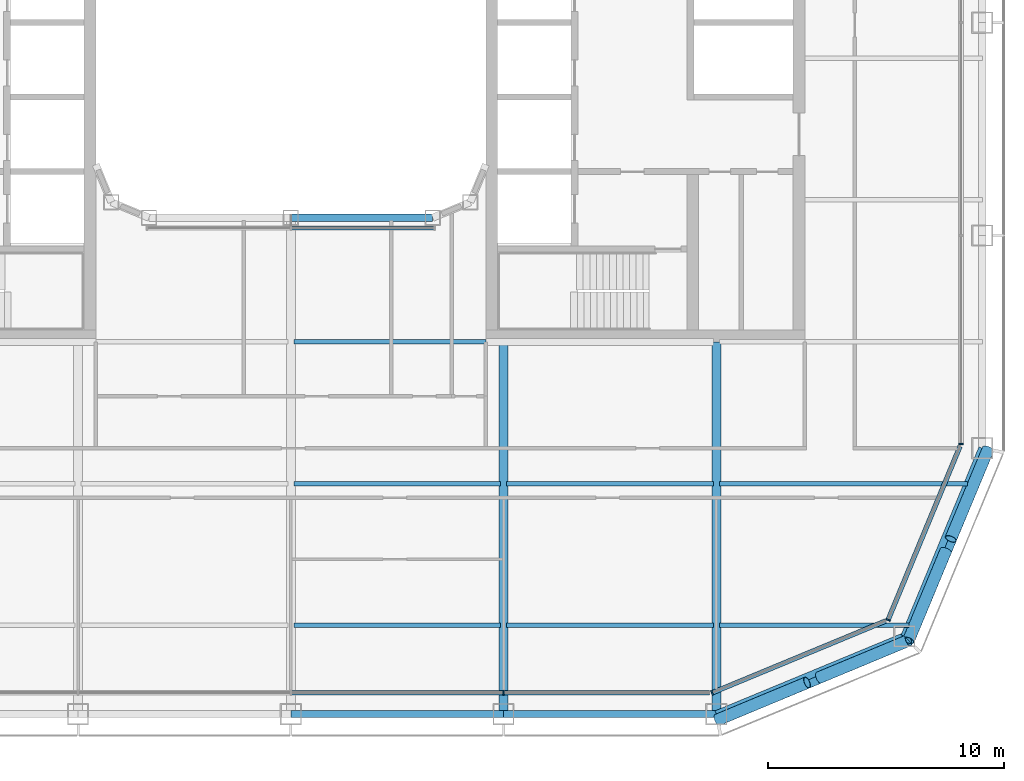
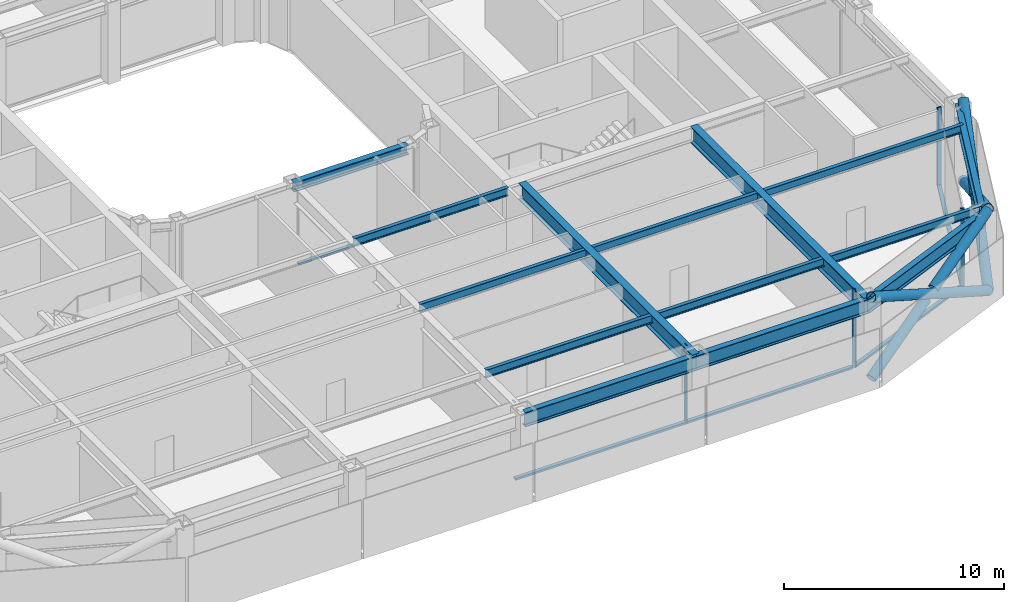
# One storey, part 4 of 21: 15 members, 14 beams, 5 elements without a shape of their own.
"""IFC4 building model written with IfcOpenShell, lengths in metres."""

from ifc_helpers import new_model, si_unit, direction, frame, origin, origin_2d, place, context, subcontext, project, spatial, rectangle, hollow_circle, i_section, extrude, material, layer, layer_set, material_profile, profile_set, type_object, element, aggregate, save


model = new_model("IFC4")

# Units and contexts
model_context = context("Model", 3, precision=1e-05, world=origin(), true_north=direction((0.0, 1.0)))
body_context = subcontext(model_context, "Body", "Model", "MODEL_VIEW")
ifc_project = project(units=[si_unit("LENGTHUNIT", "METRE"), si_unit("AREAUNIT", "SQUARE_METRE"), si_unit("VOLUMEUNIT", "CUBIC_METRE"), si_unit("PLANEANGLEUNIT", "RADIAN"), si_unit("MASSUNIT", "GRAM", prefix="KILO")], contexts=[model_context])

# Site, building, storey
site_placement = place(None, origin())
site = spatial("IfcSite", under=ifc_project, at=site_placement, CompositionType="ELEMENT")
building_placement = place(site_placement, origin())
building = spatial("IfcBuilding", under=site, at=building_placement, Name="Siwar Civic Tower", CompositionType="ELEMENT")
storey_placement = place(building_placement, frame((0.0, 0.0, 158.699951171875)))
storey = spatial("IfcBuildingStorey", under=building, at=storey_placement, Name="L34", CompositionType="ELEMENT", Elevation=158.699951171875)

# Curtain wall, member
ifc_material_1 = material(Name="Aluminium and glass", Category="aluminium")
ifc_layer_1 = layer(ifc_material_1, 0.199951171875)
ifc_layer_set_1 = layer_set([ifc_layer_1], Name="Aluminium and glass")
curtain_wall_type_1 = type_object("IfcCurtainWallType", Name="ENV-CW-B", PredefinedType="NOTDEFINED", material=ifc_layer_set_1)
curtain_wall_1_placement = place(storey_placement, origin())
curtain_wall_1 = element("IfcCurtainWall", 1, at=curtain_wall_1_placement, inside=storey, type_object=curtain_wall_type_1, Name="Curtain wall B S", PredefinedType="NOTDEFINED")
ifc_material_2 = material(Name="Aluminium 6063-T6", Category="aluminium")
ifc_material_profile_1 = material_profile(ifc_material_2, rectangle(XDim=0.199951171875, YDim=0.06494140625, at=origin_2d()), Name="AL 200x65")
ifc_profile_set_1 = profile_set([ifc_material_profile_1], Name="Aluminium 6063-T6")
member_type_1 = type_object("IfcMemberType", Name="ENV-MULLION-B", PredefinedType="MULLION", material=ifc_profile_set_1)
member_1_placement = place(storey_placement, frame((9.0, -28.35009765625, 0.0), z_axis=(0.0, 0.0, 1.0), x_axis=(0.0, 1.0, 0.0)))
member_1 = element("IfcMember", 2, at=member_1_placement, type_object=member_type_1, Name="Mullion B S 4", PredefinedType="MULLION", context=body_context, shape_type="SweptSolid", body=[
    extrude(rectangle(XDim=0.199951171875, YDim=0.06494140625, at=origin_2d()), origin(), (0.0, 0.0, 1.0), 4.35009765625),
])

ifc_material_3 = material(Name="Aluminium clad insulated panel", Category="aluminium")
ifc_layer_2 = layer(ifc_material_3, 0.199951171875)
ifc_layer_set_2 = layer_set([ifc_layer_2], Name="Aluminium clad insulated panel")
curtain_wall_type_2 = type_object("IfcCurtainWallType", Name="ENV-CW-BX", PredefinedType="NOTDEFINED", material=ifc_layer_set_2)
curtain_wall_2_placement = place(storey_placement, origin())
curtain_wall_2 = element("IfcCurtainWall", 3, at=curtain_wall_2_placement, inside=storey, type_object=curtain_wall_type_2, Name="Curtain wall B SE1", PredefinedType="NOTDEFINED")
member_2_placement = place(storey_placement, frame((17.821044921875, -28.35009765625, 0.0), z_axis=(0.0, 0.0, 1.0), x_axis=(-0.382683432365, 0.923879532511, 0.0)))
member_2 = element("IfcMember", 4, at=member_2_placement, type_object=member_type_1, Name="Mullion B SE1 1", PredefinedType="MULLION", context=body_context, shape_type="SweptSolid", body=[
    extrude(rectangle(XDim=0.199951171875, YDim=0.06494140625, at=origin_2d()), origin(), (0.0, 0.0, 1.0), 4.35009765625),
])

curtain_wall_3_placement = place(storey_placement, origin())
curtain_wall_3 = element("IfcCurtainWall", 5, at=curtain_wall_3_placement, inside=storey, type_object=curtain_wall_type_2, Name="Curtain wall B SE2", PredefinedType="NOTDEFINED")
member_3_placement = place(storey_placement, frame((25.26611328125, -25.26611328125, 0.0), z_axis=(0.0, 0.0, 1.0), x_axis=(-0.923879532511, 0.382683432365, 0.0)))
member_3 = element("IfcMember", 6, at=member_3_placement, type_object=member_type_1, Name="Mullion B SE2 1", PredefinedType="MULLION", context=body_context, shape_type="SweptSolid", body=[
    extrude(rectangle(XDim=0.199951171875, YDim=0.06494140625, at=origin_2d()), origin(), (0.0, 0.0, 1.0), 4.35009765625),
])

curtain_wall_4_placement = place(storey_placement, origin())
curtain_wall_4 = element("IfcCurtainWall", 7, at=curtain_wall_4_placement, inside=storey, type_object=curtain_wall_type_1, Name="Curtain wall B E", PredefinedType="NOTDEFINED")
member_4_placement = place(storey_placement, frame((28.35009765625, -17.821044921875, 0.0), z_axis=(0.0, 0.0, 1.0), x_axis=(-1.0, 0.0, 0.0)))
member_4 = element("IfcMember", 8, at=member_4_placement, type_object=member_type_1, Name="Mullion B E 1", PredefinedType="MULLION", context=body_context, shape_type="SweptSolid", body=[
    extrude(rectangle(XDim=0.199951171875, YDim=0.06494140625, at=origin_2d()), origin(), (0.0, 0.0, 1.0), 4.35009765625),
])
aggregate(curtain_wall_4, [member_4])

# Member
ifc_material_4 = material(Name="Aluminium 6063-T6", Category="aluminium")
ifc_material_profile_2 = material_profile(ifc_material_4, rectangle(XDim=0.199951171875, YDim=0.110107421875, at=origin_2d()), Name="AL 200x110")
ifc_profile_set_2 = profile_set([ifc_material_profile_2], Name="Aluminium 6063-T6")
member_type_2 = type_object("IfcMemberType", Name="ENV-TRANSOM-B", PredefinedType="USERDEFINED", material=ifc_profile_set_2)
member_5_placement = place(storey_placement, frame((0.032470703125, -28.35009765625, 0.054931640625), z_axis=(1.0, 0.0, 0.0), x_axis=(0.0, 1.0, 0.0)))
member_5 = element("IfcMember", 9, at=member_5_placement, type_object=member_type_2, Name="Transom B S 3", ObjectType="TRANSOM", PredefinedType="USERDEFINED", context=body_context, shape_type="SweptSolid", body=[
    extrude(rectangle(XDim=0.199951171875, YDim=0.110107421875, at=origin_2d()), origin(), (0.0, 0.0, 1.0), 8.93505859375),
])

member_6_placement = place(storey_placement, frame((9.032470703125, -28.35009765625, 0.054931640625), z_axis=(1.0, 0.0, 0.0), x_axis=(0.0, 1.0, 0.0)))
member_6 = element("IfcMember", 10, at=member_6_placement, type_object=member_type_2, Name="Transom B S 4", ObjectType="TRANSOM", PredefinedType="USERDEFINED", context=body_context, shape_type="SweptSolid", body=[
    extrude(rectangle(XDim=0.199951171875, YDim=0.110107421875, at=origin_2d()), origin(), (0.0, 0.0, 1.0), 8.6748046875),
])

aggregate(curtain_wall_1, [member_1, member_5, member_6])

member_7_placement = place(storey_placement, frame((17.85107421875, -28.337646484375, 0.054931640625), z_axis=(0.92387279587, 0.382699695651, 0.0), x_axis=(-0.382699695651, 0.92387279587, 0.0)))
member_7 = element("IfcMember", 11, at=member_7_placement, type_object=member_type_2, Name="Transom B SE1 1", ObjectType="TRANSOM", PredefinedType="USERDEFINED", context=body_context, shape_type="SweptSolid", body=[
    extrude(rectangle(XDim=0.199951171875, YDim=0.110107421875, at=origin_2d()), origin(), (0.0, 0.0, 1.0), 7.912353515625),
])

aggregate(curtain_wall_2, [member_2, member_7])

member_8_placement = place(storey_placement, frame((25.278564453125, -25.236083984375, 0.054931640625), z_axis=(0.382673358825, 0.923883705044, 0.0), x_axis=(-0.923883705044, 0.382673358825, 0.0)))
member_8 = element("IfcMember", 12, at=member_8_placement, type_object=member_type_2, Name="Transom B SE2 1", ObjectType="TRANSOM", PredefinedType="USERDEFINED", context=body_context, shape_type="SweptSolid", body=[
    extrude(rectangle(XDim=0.199951171875, YDim=0.110107421875, at=origin_2d()), origin(), (0.0, 0.0, 1.0), 7.912353515625),
])

aggregate(curtain_wall_3, [member_3, member_8])

# Curtain wall, member
ifc_material_5 = material(Name="Aluminium and glass", Category="aluminium")
ifc_layer_3 = layer(ifc_material_5, 0.179931640625)
ifc_layer_set_3 = layer_set([ifc_layer_3], Name="Aluminium and glass")
curtain_wall_type_3 = type_object("IfcCurtainWallType", Name="ENV-CW-W", PredefinedType="NOTDEFINED", material=ifc_layer_set_3)
curtain_wall_5_placement = place(storey_placement, origin())
curtain_wall_5 = element("IfcCurtainWall", 13, at=curtain_wall_5_placement, inside=storey, type_object=curtain_wall_type_3, Name="Curtain wall W WS", PredefinedType="NOTDEFINED")
ifc_material_6 = material(Name="Aluminium 6063-T6", Category="aluminium")
ifc_material_profile_3 = material_profile(ifc_material_6, rectangle(XDim=0.179931640625, YDim=0.10009765625, at=origin_2d()), Name="AL 180x100")
ifc_profile_set_3 = profile_set([ifc_material_profile_3], Name="Aluminium 6063-T6")
member_type_3 = type_object("IfcMemberType", Name="ENV-TRANSOM-W", PredefinedType="USERDEFINED", material=ifc_profile_set_3)
member_9_placement = place(storey_placement, frame((0.030029296875, -8.68505859375, 0.050048828125), z_axis=(1.0, 0.0, 0.0), x_axis=(0.0, 1.0, 0.0)))
member_9 = element("IfcMember", 14, at=member_9_placement, type_object=member_type_3, Name="Transom W WS 2", ObjectType="TRANSOM", PredefinedType="USERDEFINED", context=body_context, shape_type="SweptSolid", body=[
    extrude(rectangle(XDim=0.179931640625, YDim=0.10009765625, at=origin_2d()), origin(), (0.0, 0.0, 1.0), 6.026611328125),
])
aggregate(curtain_wall_5, [member_9])

# Members
ifc_material_7 = material(Name="Steel S355", Category="steel")
ifc_material_profile_4 = material_profile(ifc_material_7, hollow_circle(Radius=0.25390625, WallThickness=0.02490234375, at=origin_2d()), Name="CHS508x25")
ifc_profile_set_4 = profile_set([ifc_material_profile_4], Name="Steel S355")
member_type_4 = type_object("IfcMemberType", Name="STR-BR-CHS508x25", PredefinedType="BRACE", material=ifc_profile_set_4)
member_10_placement = place(storey_placement, frame((26.1318359375, -26.1318359375, 0.0), z_axis=(0.341671493852, 0.821142553604, 0.457149315816), x_axis=(-0.923264922524, 0.384163874976, 0.0)))
element("IfcMember", 15, at=member_10_placement, inside=storey, type_object=member_type_4, Name="L34/brc/BSE1-13-0-1", PredefinedType="BRACE", context=body_context, shape_type="SweptSolid", body=[
    extrude(hollow_circle(Radius=0.25390625, WallThickness=0.02490234375, at=origin_2d()), origin(), (0.0, 0.0, 1.0), 9.843505859375),
])
for number, where, z_axis, x_axis, name in (
    (16, (29.4951171875, -18.048828125, 0.0), (-0.341677318012, -0.821126041429, 0.457174621391), (0.923259859753, -0.384176042158, 0.0), "L34/brc/BSE1-13-0-2"),
    (17, (27.70849609375, -22.342529296875, 2.390625), (-0.341670737976, -0.821163134736, 0.457112910516), (0.923268638995, -0.384154943021, 0.0), "L34/brc/BSE1-13-0-3"),
):
    element("IfcMember", number, at=place(storey_placement, frame(where, z_axis=z_axis, x_axis=x_axis)), inside=storey, type_object=member_type_4, Name=name, PredefinedType="BRACE", context=body_context, shape_type="SweptSolid", body=[
        extrude(hollow_circle(Radius=0.25390625, WallThickness=0.02490234375, at=origin_2d()), origin(), (0.0, 0.0, 1.0), 4.614501953125),
    ])
member_11_placement = place(storey_placement, frame((26.1318359375, -26.1318359375, 0.0), z_axis=(-0.821142553604, -0.341671493852, 0.457149315816), x_axis=(0.384163874976, -0.923264922524, 0.0)))
element("IfcMember", 18, at=member_11_placement, inside=storey, type_object=member_type_4, Name="L34/brc/BSE1-13-0-0", PredefinedType="BRACE", context=body_context, shape_type="SweptSolid", body=[
    extrude(hollow_circle(Radius=0.25390625, WallThickness=0.02490234375, at=origin_2d()), origin(), (0.0, 0.0, 1.0), 9.843505859375),
])
for number, where, z_axis, x_axis, name in (
    (19, (18.048828125, -29.4951171875, 0.0), (0.821126041429, 0.341677318012, 0.457174621391), (-0.384176042158, 0.923259859753, 0.0), "L34/brc/BSE1-13-0-4"),
    (20, (22.342529296875, -27.70849609375, 2.390625), (0.821163134736, 0.341670737976, 0.457112910516), (-0.384154943021, 0.923268638995, 0.0), "L34/brc/BSE1-13-0-5"),
):
    element("IfcMember", number, at=place(storey_placement, frame(where, z_axis=z_axis, x_axis=x_axis)), inside=storey, type_object=member_type_4, Name=name, PredefinedType="BRACE", context=body_context, shape_type="SweptSolid", body=[
        extrude(hollow_circle(Radius=0.25390625, WallThickness=0.02490234375, at=origin_2d()), origin(), (0.0, 0.0, 1.0), 4.614501953125),
    ])

# Beams
ifc_material_8 = material(Name="Steel S355", Category="steel")
ifc_material_profile_5 = material_profile(ifc_material_8, i_section(OverallWidth=0.18994140625, OverallDepth=0.449951171875, WebThickness=0.009521484375, FlangeThickness=0.0146484375, FilletRadius=0.02099609375, at=origin_2d()), Name="IPE450")
ifc_profile_set_5 = profile_set([ifc_material_profile_5], Name="Steel S355")
beam_type_1 = type_object("IfcBeamType", Name="STR-FB-IPE450", PredefinedType="JOIST", material=ifc_profile_set_5)
for number, where, z_axis, x_axis, name in (
    (21, (0.1298828125, -25.5, 4.125), (1.0, 0.0, 0.0), (0.0, 1.0, 0.0), "L34/bm/F004"),
    (22, (9.1298828125, -25.5, 4.125), (1.0, 0.0, 0.0), (0.0, 1.0, 0.0), "L34/bm/F005"),
):
    element("IfcBeam", number, at=place(storey_placement, frame(where, z_axis=z_axis, x_axis=x_axis)), inside=storey, type_object=beam_type_1, Name=name, PredefinedType="JOIST", context=body_context, shape_type="SweptSolid", body=[
        extrude(i_section(OverallWidth=0.18994140625, OverallDepth=0.449951171875, WebThickness=0.009521484375, FlangeThickness=0.0146484375, FilletRadius=0.02099609375, at=origin_2d()), origin(), (0.0, 0.0, 1.0), 8.740234375),
    ])
beam_1_placement = place(storey_placement, frame((18.1298828125, -25.5, 4.125), z_axis=(1.0, 0.0, 0.0), x_axis=(0.0, 1.0, 0.0)))
element("IfcBeam", 23, at=beam_1_placement, inside=storey, type_object=beam_type_1, Name="L34/bm/F006", PredefinedType="JOIST", context=body_context, shape_type="SweptSolid", body=[
    extrude(i_section(OverallWidth=0.18994140625, OverallDepth=0.449951171875, WebThickness=0.009521484375, FlangeThickness=0.0146484375, FilletRadius=0.02099609375, at=origin_2d()), origin(), (0.0, 0.0, 1.0), 8.013427734375),
])
for number, where, z_axis, x_axis, name in (
    (24, (0.1298828125, -19.5, 4.125), (1.0, 0.0, 0.0), (0.0, 1.0, 0.0), "L34/bm/F010"),
    (25, (9.1298828125, -19.5, 4.125), (1.0, 0.0, 0.0), (0.0, 1.0, 0.0), "L34/bm/F011"),
):
    element("IfcBeam", number, at=place(storey_placement, frame(where, z_axis=z_axis, x_axis=x_axis)), inside=storey, type_object=beam_type_1, Name=name, PredefinedType="JOIST", context=body_context, shape_type="SweptSolid", body=[
        extrude(i_section(OverallWidth=0.18994140625, OverallDepth=0.449951171875, WebThickness=0.009521484375, FlangeThickness=0.0146484375, FilletRadius=0.02099609375, at=origin_2d()), origin(), (0.0, 0.0, 1.0), 8.740234375),
    ])
beam_2_placement = place(storey_placement, frame((18.1298828125, -19.5, 4.125), z_axis=(1.0, 0.0, 0.0), x_axis=(0.0, 1.0, 0.0)))
element("IfcBeam", 26, at=beam_2_placement, inside=storey, type_object=beam_type_1, Name="L34/bm/F012", PredefinedType="JOIST", context=body_context, shape_type="SweptSolid", body=[
    extrude(i_section(OverallWidth=0.18994140625, OverallDepth=0.449951171875, WebThickness=0.009521484375, FlangeThickness=0.0146484375, FilletRadius=0.02099609375, at=origin_2d()), origin(), (0.0, 0.0, 1.0), 10.498779296875),
])
beam_3_placement = place(storey_placement, frame((0.1298828125, -13.5, 4.125), z_axis=(1.0, 0.0, 0.0), x_axis=(0.0, 1.0, 0.0)))
element("IfcBeam", 27, at=beam_3_placement, inside=storey, type_object=beam_type_1, Name="L34/bm/F017", PredefinedType="JOIST", context=body_context, shape_type="SweptSolid", body=[
    extrude(i_section(OverallWidth=0.18994140625, OverallDepth=0.449951171875, WebThickness=0.009521484375, FlangeThickness=0.0146484375, FilletRadius=0.02099609375, at=origin_2d()), origin(), (0.0, 0.0, 1.0), 8.1201171875),
])
ifc_material_9 = material(Name="Steel S355", Category="steel")
ifc_material_profile_6 = material_profile(ifc_material_9, i_section(OverallWidth=0.3798828125, OverallDepth=0.89990234375, WebThickness=0.01611328125, FlangeThickness=0.035888671875, at=origin_2d()), Name="PG900x380x16x36")
ifc_profile_set_6 = profile_set([ifc_material_profile_6], Name="Steel S355")
beam_type_2 = type_object("IfcBeamType", Name="STR-PG-PG900x380x16x36", PredefinedType="BEAM", material=ifc_profile_set_6)
for number, where, z_axis, x_axis, name in (
    (28, (9.0, -29.25, 3.900146484375), (0.0, 1.0, 0.0), (-1.0, 0.0, 0.0), "L34/bm/G07"),
    (29, (18.0, -29.25, 3.900146484375), (0.0, 1.0, 0.0), (-1.0, 0.0, 0.0), "L34/bm/G09"),
):
    element("IfcBeam", number, at=place(storey_placement, frame(where, z_axis=z_axis, x_axis=x_axis)), inside=storey, type_object=beam_type_2, Name=name, PredefinedType="BEAM", context=body_context, shape_type="SweptSolid", body=[
        extrude(i_section(OverallWidth=0.3798828125, OverallDepth=0.89990234375, WebThickness=0.01611328125, FlangeThickness=0.035888671875, at=origin_2d()), origin(), (0.0, 0.0, 1.0), 15.75),
    ])
ifc_material_10 = material(Name="Steel S355", Category="steel")
ifc_material_profile_7 = material_profile(ifc_material_10, i_section(OverallWidth=0.305908203125, OverallDepth=0.52392578125, WebThickness=0.02099609375, FlangeThickness=0.0400390625, FilletRadius=0.027099609375, at=origin_2d()), Name="HEM500")
ifc_profile_set_7 = profile_set([ifc_material_profile_7], Name="Steel S355")
beam_type_3 = type_object("IfcBeamType", Name="STR-RB-HEM500", PredefinedType="BEAM", material=ifc_profile_set_7)
beam_4_placement = place(storey_placement, frame((0.0, -8.25, 4.088134765625), z_axis=(1.0, 0.0, 0.0), x_axis=(0.0, 1.0, 0.0)))
element("IfcBeam", 30, at=beam_4_placement, inside=storey, type_object=beam_type_3, Name="L34/bm/RS2", PredefinedType="BEAM", context=body_context, shape_type="SweptSolid", body=[
    extrude(i_section(OverallWidth=0.305908203125, OverallDepth=0.52392578125, WebThickness=0.02099609375, FlangeThickness=0.0400390625, FilletRadius=0.027099609375, at=origin_2d()), origin(), (0.0, 0.0, 1.0), 6.0),
])
ifc_material_11 = material(Name="Steel S355", Category="steel")
ifc_material_profile_8 = material_profile(ifc_material_11, i_section(OverallWidth=0.300048828125, OverallDepth=0.800048828125, WebThickness=0.017578125, FlangeThickness=0.032958984375, FilletRadius=0.030029296875, at=origin_2d()), Name="HEB800")
ifc_profile_set_8 = profile_set([ifc_material_profile_8], Name="Steel S355")
beam_type_4 = type_object("IfcBeamType", Name="STR-SB-HEB800", PredefinedType="BEAM", material=ifc_profile_set_8)
for number, where, z_axis, x_axis, name in (
    (31, (0.0, -29.25, 3.949951171875), (1.0, 0.0, 0.0), (0.0, 1.0, 0.0), "L34/bm/SS-2"),
    (32, (9.0, -29.25, 3.949951171875), (1.0, 0.0, 0.0), (0.0, 1.0, 0.0), "L34/bm/SS-3"),
):
    element("IfcBeam", number, at=place(storey_placement, frame(where, z_axis=z_axis, x_axis=x_axis)), inside=storey, type_object=beam_type_4, Name=name, PredefinedType="BEAM", context=body_context, shape_type="SweptSolid", body=[
        extrude(i_section(OverallWidth=0.300048828125, OverallDepth=0.800048828125, WebThickness=0.017578125, FlangeThickness=0.032958984375, FilletRadius=0.030029296875, at=origin_2d()), origin(), (0.0, 0.0, 1.0), 9.0),
    ])
for number, where, z_axis, x_axis, name in (
    (33, (18.0, -29.25, 3.949951171875), (0.923872720536, 0.382699877515, 0.0), (-0.382699877515, 0.923872720536, 0.0), "L34/bm/SSE1-0"),
    (34, (25.954833984375, -25.954833984375, 3.949951171875), (0.382699877515, 0.923872720536, 0.0), (-0.923872720536, 0.382699877515, 0.0), "L34/bm/SSE2-0"),
):
    element("IfcBeam", number, at=place(storey_placement, frame(where, z_axis=z_axis, x_axis=x_axis)), inside=storey, type_object=beam_type_4, Name=name, PredefinedType="BEAM", context=body_context, shape_type="SweptSolid", body=[
        extrude(i_section(OverallWidth=0.300048828125, OverallDepth=0.800048828125, WebThickness=0.017578125, FlangeThickness=0.032958984375, FilletRadius=0.030029296875, at=origin_2d()), origin(), (0.0, 0.0, 1.0), 8.6103515625),
    ])

save(model, "model.ifc")
